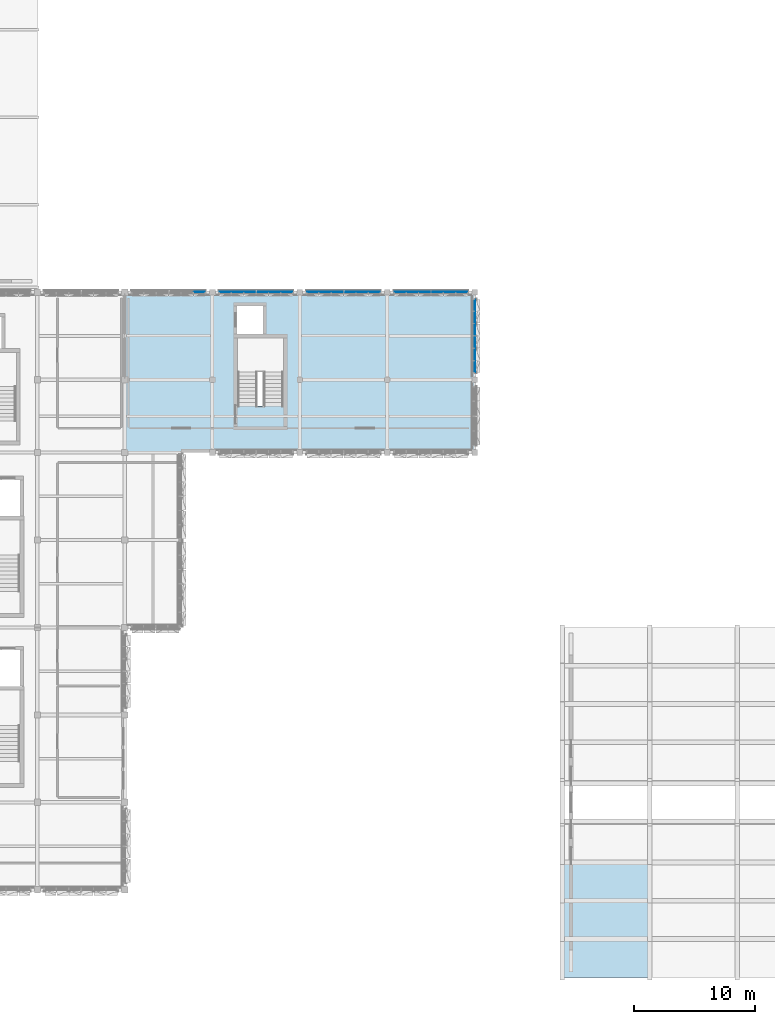
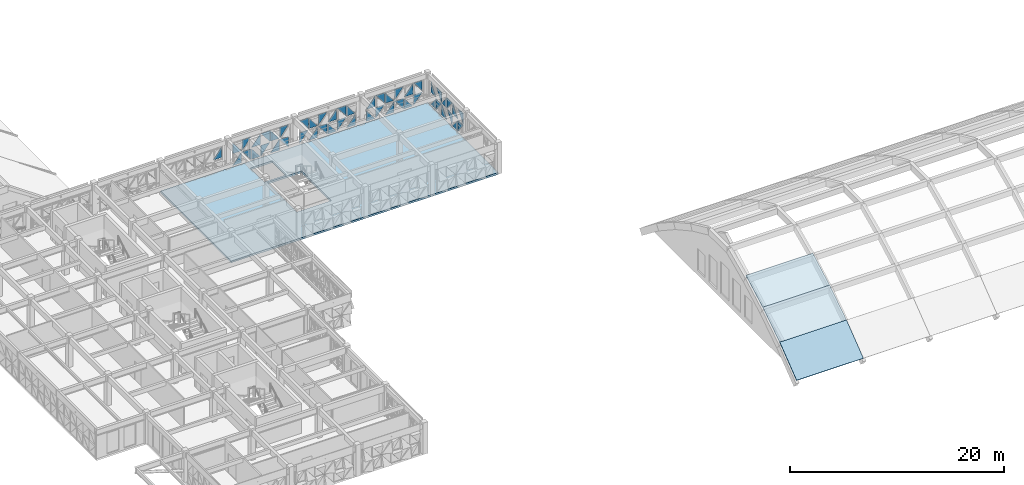
# One storey, part 24 of 48: 49 plates, 4 slabs, 5 elements without a shape of their own.
"""IFC4 building model written with IfcOpenShell, lengths in metres."""

import ifcopenshell
import ifcopenshell.guid

model = None  # the IFC model being written
_history = None  # IfcOwnerHistory: only IFC2X3 demands one
_inside = {}  # id of a spatial element -> (the spatial element, [elements in it])
_under = {}  # id of a project, library or spatial element -> (it, [spatial elements below it])
_declared = {}  # id of a project -> (the project, [libraries it declares])
_typed = {}  # id of a type object -> (the type object, [elements of that type])
_made_of = {}  # id of a material, layer set ... -> (it, [elements and type objects made of it])


def new_model(schema):
    """Start an empty IFC model of exactly this schema.

    Asked for "IFC4X3", IfcOpenShell would pick the latest addendum, in which some entities
    have other attributes; the version numbers below select the first issue.
    IFC2X3 requires an IfcOwnerHistory on every rooted entity: one is made here for all.
    """
    global model, _history
    if schema == "IFC4X3":
        model = ifcopenshell.file(schema_version=(4, 3, 0, 0))
    else:
        model = ifcopenshell.file(schema=schema)
    _inside.clear()
    _under.clear()
    _declared.clear()
    _typed.clear()
    _made_of.clear()
    _history = None
    if model.schema == "IFC2X3":
        org = make("IfcOrganization", Name="unknown")
        user = make(
            "IfcPersonAndOrganization",
            ThePerson=make("IfcPerson", FamilyName="unknown"),
            TheOrganization=org,
        )
        app = make(
            "IfcApplication",
            ApplicationDeveloper=org,
            Version="unknown",
            ApplicationFullName="unknown",
            ApplicationIdentifier="unknown",
        )
        _history = make(
            "IfcOwnerHistory",
            OwningUser=user,
            OwningApplication=app,
            ChangeAction="ADDED",
            CreationDate=0,
        )
    return model


def make(cls, **values):
    """One entity of the class cls with the attributes given. An attribute that is None is left unset."""
    return model.create_entity(
        cls, **{name: value for name, value in values.items() if value is not None}
    )


def rooted(cls, **values):
    """An entity with a GlobalId (a new one), such as an element, a storey or a relation."""
    return make(cls, GlobalId=ifcopenshell.guid.new(), OwnerHistory=_history, **values)


def si_unit(unit_type, name, prefix=None):
    """IfcSIUnit, for example si_unit("LENGTHUNIT", "METRE", prefix="MILLI")."""
    return make("IfcSIUnit", UnitType=unit_type, Prefix=prefix, Name=name)


def assignment(units):
    """IfcUnitAssignment: the units of a project."""
    return None if units is None else make("IfcUnitAssignment", Units=units)


def point(xyz):
    """IfcCartesianPoint."""
    return None if xyz is None else make("IfcCartesianPoint", Coordinates=xyz)


def direction(xyz):
    """IfcDirection."""
    return None if xyz is None else make("IfcDirection", DirectionRatios=xyz)


def frame(location, z_axis=None, x_axis=None):
    """IfcAxis2Placement3D, a coordinate frame: its origin and axes. An axis left out is left unset."""
    return make(
        "IfcAxis2Placement3D",
        Location=point(location),
        Axis=direction(z_axis),
        RefDirection=direction(x_axis),
    )


def origin():
    """The frame at (0, 0, 0) with its axes left unset."""
    return frame((0.0, 0.0, 0.0))


def place(relative_to, where):
    """IfcLocalPlacement: puts the frame where relative to a parent placement (None: the world)."""
    return make(
        "IfcLocalPlacement", PlacementRelTo=relative_to, RelativePlacement=where
    )


def context(
    kind, dimensions, precision=None, world=None, true_north=None, identifier=None
):
    """IfcGeometricRepresentationContext, for example the 3D "Model" context."""
    return make(
        "IfcGeometricRepresentationContext",
        ContextIdentifier=identifier,
        ContextType=kind,
        CoordinateSpaceDimension=dimensions,
        Precision=precision,
        WorldCoordinateSystem=world,
        TrueNorth=true_north,
    )


def subcontext(parent, identifier, kind, view, scale=None):
    """IfcGeometricRepresentationSubContext, for example "Body" below "Model"."""
    return make(
        "IfcGeometricRepresentationSubContext",
        ContextIdentifier=identifier,
        ContextType=kind,
        ParentContext=parent,
        TargetScale=scale,
        TargetView=view,
    )


def project(units=None, contexts=None):
    """IfcProject with its units and contexts."""
    return rooted(
        "IfcProject",
        Name="project",
        RepresentationContexts=contexts,
        UnitsInContext=assignment(units),
    )


def spatial(cls, under=None, at=None, **own):
    """A site, building, storey or space (cls), placed at a placement, below another one or the project."""
    s = rooted(cls, ObjectPlacement=at, **own)
    if under is not None:
        _under.setdefault(under.id(), (under, []))[1].append(s)
    return s


def polyline(points):
    """IfcPolyline through the points."""
    return make("IfcPolyline", Points=[point(p) for p in points])


def outline(outer, holes=None, kind="AREA"):
    """IfcArbitraryClosedProfileDef: a profile drawn as a closed curve; with holes, ...WithVoids."""
    if holes is None:
        return make("IfcArbitraryClosedProfileDef", ProfileType=kind, OuterCurve=outer)
    return make(
        "IfcArbitraryProfileDefWithVoids",
        ProfileType=kind,
        OuterCurve=outer,
        InnerCurves=holes,
    )


def extrude(swept, where, along, depth):
    """IfcExtrudedAreaSolid: the profile swept, set in the frame where, extruded along a direction by depth."""
    return make(
        "IfcExtrudedAreaSolid",
        SweptArea=swept,
        Position=where,
        ExtrudedDirection=direction(along),
        Depth=depth,
    )


def shape(context_of_items, identifier, shape_type, items):
    """IfcShapeRepresentation: the items that make up one representation, for example the "Body"."""
    return make(
        "IfcShapeRepresentation",
        ContextOfItems=context_of_items,
        RepresentationIdentifier=identifier,
        RepresentationType=shape_type,
        Items=items,
    )


def material(Name=None, Category=None):
    """IfcMaterial."""
    return make("IfcMaterial", Name=Name, Category=Category)


def layer(
    of_material, thickness, ventilated=None, Name=None, Category=None, Priority=None
):
    """IfcMaterialLayer: one layer of a wall or slab, of a material (None: an air gap)."""
    return make(
        "IfcMaterialLayer",
        Material=of_material,
        LayerThickness=thickness,
        IsVentilated=ventilated,
        Name=Name,
        Category=Category,
        Priority=Priority,
    )


def layer_set(layers, Name=None):
    """IfcMaterialLayerSet."""
    return make("IfcMaterialLayerSet", MaterialLayers=layers, LayerSetName=Name)


def made_of(thing, what):
    """Note that an element or type object is made of a material, layer set ...; save() writes the relation."""
    if what is not None:
        _made_of.setdefault(what.id(), (what, []))[1].append(thing)
    return thing


def type_object(cls, material=None, **own):
    """A type object (cls), such as IfcWallType, which elements share."""
    return made_of(rooted(cls, **own), material)


def element(
    cls,
    number,
    at=None,
    inside=None,
    cuts=None,
    type_object=None,
    material=None,
    context=None,
    identifier="Body",
    shape_type=None,
    held_by="IfcProductDefinitionShape",
    body=None,
    shapes=None,
    **own,
):
    """One element of the class cls, such as IfcWall. Its Tag is "e" and its number.

    at: its placement. inside: the storey or other place that contains it. cuts: it is an
    opening in that element (IfcRelVoidsElement). A single representation is given by context,
    identifier, shape_type and body (its items); several are given by shapes. held_by: the class
    of the entity that holds the representations. save() writes the other relations.
    """
    e = rooted(cls, Tag="e%d" % number, ObjectPlacement=at, **own)
    if body is not None:
        shapes = [shape(context, identifier, shape_type, body)]
    if shapes is not None:
        e.Representation = make(held_by, Representations=shapes)
    if inside is not None:
        _inside.setdefault(inside.id(), (inside, []))[1].append(e)
    if cuts is not None:
        rooted(
            "IfcRelVoidsElement", RelatingBuildingElement=cuts, RelatedOpeningElement=e
        )
    if type_object is not None:
        _typed.setdefault(type_object.id(), (type_object, []))[1].append(e)
    return made_of(e, material)


def aggregate(whole, parts):
    """IfcRelAggregates: a whole, such as a stair, and the parts it consists of."""
    return rooted("IfcRelAggregates", RelatingObject=whole, RelatedObjects=parts)


def save(model, path):
    """Write the relations noted so far, then the file.

    IfcRelAggregates (storeys below a building ...), IfcRelContainedInSpatialStructure (elements
    in a storey), IfcRelDefinesByType, IfcRelAssociatesMaterial and IfcRelDeclares: one each for
    every whole, place, type object, material and project.
    """
    for whole, parts in _under.values():
        aggregate(whole, parts)
    for where, things in _inside.values():
        rooted(
            "IfcRelContainedInSpatialStructure",
            RelatedElements=things,
            RelatingStructure=where,
        )
    for kind, things in _typed.values():
        rooted("IfcRelDefinesByType", RelatedObjects=things, RelatingType=kind)
    for what, things in _made_of.values():
        rooted("IfcRelAssociatesMaterial", RelatedObjects=things, RelatingMaterial=what)
    for by, libraries in _declared.values():
        rooted("IfcRelDeclares", RelatingContext=by, RelatedDefinitions=libraries)
    model.write(path)


model = new_model("IFC4")

# Units and contexts
model_context = context("Model", 3, precision=1e-05, world=origin(), true_north=direction((0.0, 1.0)))
body_context = subcontext(model_context, "Body", "Model", "MODEL_VIEW")
ifc_project = project(units=[si_unit("LENGTHUNIT", "METRE"), si_unit("AREAUNIT", "SQUARE_METRE"), si_unit("VOLUMEUNIT", "CUBIC_METRE"), si_unit("PLANEANGLEUNIT", "RADIAN"), si_unit("MASSUNIT", "GRAM", prefix="KILO")], contexts=[model_context])

# Site, building, storey
site_placement = place(None, origin())
site = spatial("IfcSite", under=ifc_project, at=site_placement, CompositionType="ELEMENT")
building_placement = place(site_placement, origin())
building = spatial("IfcBuilding", under=site, at=building_placement, Name="Alvorim Cloister Faculty of Sciences", CompositionType="ELEMENT")
storey_placement = place(building_placement, frame((0.0, 0.0, 19.35009765625)))
storey = spatial("IfcBuildingStorey", under=building, at=storey_placement, Name="L05", CompositionType="ELEMENT", Elevation=19.35009765625)

# Curtain wall, plate
ifc_material_1 = material(Name="Aluminium and Low-E Glass Curtain Wall", Category="aluminium")
curtain_wall_type = type_object("IfcCurtainWallType", Name="CW-TRI-6120x2850", PredefinedType="USERDEFINED", material=ifc_material_1)
curtain_wall_1_placement = place(storey_placement, origin())
curtain_wall_1 = element("IfcCurtainWall", 1, at=curtain_wall_1_placement, inside=storey, type_object=curtain_wall_type, Name="L05 Diagonal Cassette Curtain Wall CW-0223", ObjectType="UNITISED CURTAIN WALL", PredefinedType="USERDEFINED")
ifc_material_2 = material(Name="Double Low-E Laminated Glass", Category="glass")
ifc_layer_1 = layer(ifc_material_2, 0.0400390625)
ifc_layer_set_1 = layer_set([ifc_layer_1], Name="Double Low-E Laminated Glass")
plate_type = type_object("IfcPlateType", Name="PN-GLZ-40", PredefinedType="CURTAIN_PANEL", material=ifc_layer_set_1)
plate_1_placement = place(storey_placement, frame((34.472412109375, 56.425048828125, 1.494873046875), z_axis=(0.0, 0.0, 1.0), x_axis=(1.0, 0.0, 0.0)))
plate_1 = element("IfcPlate", 2, at=plate_1_placement, type_object=plate_type, Name="Diagonal Glazed Triangle TRI-BR", PredefinedType="CURTAIN_PANEL", context=body_context, shape_type="SweptSolid", body=[
    extrude(outline(polyline([(0.001953125, 0.0), (0.922607421875, 0.0), (0.922607421875, 1.213134765625), (0.001953125, 0.0)])), frame((0.0, 0.02490234375, 0.0), z_axis=(0.0, -1.0, 0.0), x_axis=(1.0, 0.0, 0.0)), (0.0, 0.0, 1.0), 0.050048828125),
])
aggregate(curtain_wall_1, [plate_1])

# Curtain wall, plates
curtain_wall_2_placement = place(storey_placement, origin())
curtain_wall_2 = element("IfcCurtainWall", 3, at=curtain_wall_2_placement, inside=storey, type_object=curtain_wall_type, Name="L05 Diagonal Cassette Curtain Wall CW-0224", ObjectType="UNITISED CURTAIN WALL", PredefinedType="USERDEFINED")
plate_2_placement = place(storey_placement, frame((36.60498046875, 56.425048828125, 0.139892578125), z_axis=(0.0, 0.0, 1.0), x_axis=(1.0, 0.0, 0.0)))
plate_2 = element("IfcPlate", 4, at=plate_2_placement, type_object=plate_type, Name="Diagonal Glazed Triangle TRI-BR", PredefinedType="CURTAIN_PANEL", context=body_context, shape_type="SweptSolid", body=[
    extrude(outline(polyline([(0.001953125, 0.0), (0.922607421875, 0.0), (0.922607421875, 1.213134765625), (0.001953125, 0.0)])), frame((0.0, 0.02490234375, 0.0), z_axis=(0.0, -1.0, 0.0), x_axis=(1.0, 0.0, 0.0)), (0.0, 0.0, 1.0), 0.050048828125),
])
plate_3_placement = place(storey_placement, frame((36.60498046875, 56.425048828125, 1.494873046875), z_axis=(0.0, 0.0, 1.0), x_axis=(1.0, 0.0, 0.0)))
plate_3 = element("IfcPlate", 5, at=plate_3_placement, type_object=plate_type, Name="Diagonal Glazed Triangle TRI-BL", PredefinedType="CURTAIN_PANEL", context=body_context, shape_type="SweptSolid", body=[
    extrude(outline(polyline([(0.0, 0.0), (0.920654296875, 0.0), (0.0, 1.213134765625), (0.0, 0.0)])), frame((0.0, 0.02490234375, 0.0), z_axis=(0.0, -1.0, 0.0), x_axis=(1.0, 0.0, 0.0)), (0.0, 0.0, 1.0), 0.050048828125),
])
plate_4_placement = place(storey_placement, frame((37.592529296875, 56.425048828125, 0.139892578125), z_axis=(0.0, 0.0, 1.0), x_axis=(1.0, 0.0, 0.0)))
plate_4 = element("IfcPlate", 6, at=plate_4_placement, type_object=plate_type, Name="Diagonal Glazed Triangle TRI-TR", PredefinedType="CURTAIN_PANEL", context=body_context, shape_type="SweptSolid", body=[
    extrude(outline(polyline([(0.955078125, 0.001953125), (0.955078125, 1.215087890625), (0.001953125, 1.215087890625), (0.955078125, 0.001953125)])), frame((0.0, 0.02490234375, 0.0), z_axis=(0.0, -1.0, 0.0), x_axis=(1.0, 0.0, 0.0)), (0.0, 0.0, 1.0), 0.050048828125),
])
plate_5_placement = place(storey_placement, frame((37.592529296875, 56.425048828125, 1.494873046875), z_axis=(0.0, 0.0, 1.0), x_axis=(1.0, 0.0, 0.0)))
plate_5 = element("IfcPlate", 7, at=plate_5_placement, type_object=plate_type, Name="Diagonal Glazed Triangle TRI-TL", PredefinedType="CURTAIN_PANEL", context=body_context, shape_type="SweptSolid", body=[
    extrude(outline(polyline([(0.953125, 1.215087890625), (0.0, 1.215087890625), (0.0, 0.001953125), (0.953125, 1.215087890625)])), frame((0.0, 0.02490234375, 0.0), z_axis=(0.0, -1.0, 0.0), x_axis=(1.0, 0.0, 0.0)), (0.0, 0.0, 1.0), 0.050048828125),
])
plate_6_placement = place(storey_placement, frame((38.612548828125, 56.425048828125, 0.139892578125), z_axis=(0.0, 0.0, 1.0), x_axis=(1.0, 0.0, 0.0)))
plate_6 = element("IfcPlate", 8, at=plate_6_placement, type_object=plate_type, Name="Diagonal Glazed Triangle TRI-BL", PredefinedType="CURTAIN_PANEL", context=body_context, shape_type="SweptSolid", body=[
    extrude(outline(polyline([(0.0, 0.0), (0.953125, 0.0), (0.0, 1.213134765625), (0.0, 0.0)])), frame((0.0, 0.02490234375, 0.0), z_axis=(0.0, -1.0, 0.0), x_axis=(1.0, 0.0, 0.0)), (0.0, 0.0, 1.0), 0.050048828125),
])
plate_7_placement = place(storey_placement, frame((38.612548828125, 56.425048828125, 1.494873046875), z_axis=(0.0, 0.0, 1.0), x_axis=(1.0, 0.0, 0.0)))
plate_7 = element("IfcPlate", 9, at=plate_7_placement, type_object=plate_type, Name="Diagonal Glazed Triangle TRI-BR", PredefinedType="CURTAIN_PANEL", context=body_context, shape_type="SweptSolid", body=[
    extrude(outline(polyline([(0.001953125, 0.0), (0.955078125, 0.0), (0.955078125, 1.213134765625), (0.001953125, 0.0)])), frame((0.0, 0.02490234375, 0.0), z_axis=(0.0, -1.0, 0.0), x_axis=(1.0, 0.0, 0.0)), (0.0, 0.0, 1.0), 0.050048828125),
])
plate_8_placement = place(storey_placement, frame((39.632568359375, 56.425048828125, 0.139892578125), z_axis=(0.0, 0.0, 1.0), x_axis=(1.0, 0.0, 0.0)))
plate_8 = element("IfcPlate", 10, at=plate_8_placement, type_object=plate_type, Name="Diagonal Glazed Triangle TRI-TL", PredefinedType="CURTAIN_PANEL", context=body_context, shape_type="SweptSolid", body=[
    extrude(outline(polyline([(0.953125, 1.215087890625), (0.0, 1.215087890625), (0.0, 0.001953125), (0.953125, 1.215087890625)])), frame((0.0, 0.02490234375, 0.0), z_axis=(0.0, -1.0, 0.0), x_axis=(1.0, 0.0, 0.0)), (0.0, 0.0, 1.0), 0.050048828125),
])
plate_9_placement = place(storey_placement, frame((39.632568359375, 56.425048828125, 1.494873046875), z_axis=(0.0, 0.0, 1.0), x_axis=(1.0, 0.0, 0.0)))
plate_9 = element("IfcPlate", 11, at=plate_9_placement, type_object=plate_type, Name="Diagonal Glazed Triangle TRI-TR", PredefinedType="CURTAIN_PANEL", context=body_context, shape_type="SweptSolid", body=[
    extrude(outline(polyline([(0.955078125, 0.001953125), (0.955078125, 1.215087890625), (0.001953125, 1.215087890625), (0.955078125, 0.001953125)])), frame((0.0, 0.02490234375, 0.0), z_axis=(0.0, -1.0, 0.0), x_axis=(1.0, 0.0, 0.0)), (0.0, 0.0, 1.0), 0.050048828125),
])
plate_10_placement = place(storey_placement, frame((40.652587890625, 56.425048828125, 0.139892578125), z_axis=(0.0, 0.0, 1.0), x_axis=(1.0, 0.0, 0.0)))
plate_10 = element("IfcPlate", 12, at=plate_10_placement, type_object=plate_type, Name="Diagonal Glazed Triangle TRI-BR", PredefinedType="CURTAIN_PANEL", context=body_context, shape_type="SweptSolid", body=[
    extrude(outline(polyline([(0.001953125, 0.0), (0.955078125, 0.0), (0.955078125, 1.213134765625), (0.001953125, 0.0)])), frame((0.0, 0.02490234375, 0.0), z_axis=(0.0, -1.0, 0.0), x_axis=(1.0, 0.0, 0.0)), (0.0, 0.0, 1.0), 0.050048828125),
])
plate_11_placement = place(storey_placement, frame((40.652587890625, 56.425048828125, 1.494873046875), z_axis=(0.0, 0.0, 1.0), x_axis=(1.0, 0.0, 0.0)))
plate_11 = element("IfcPlate", 13, at=plate_11_placement, type_object=plate_type, Name="Diagonal Glazed Triangle TRI-BL", PredefinedType="CURTAIN_PANEL", context=body_context, shape_type="SweptSolid", body=[
    extrude(outline(polyline([(0.0, 0.0), (0.953125, 0.0), (0.0, 1.213134765625), (0.0, 0.0)])), frame((0.0, 0.02490234375, 0.0), z_axis=(0.0, -1.0, 0.0), x_axis=(1.0, 0.0, 0.0)), (0.0, 0.0, 1.0), 0.050048828125),
])
plate_12_placement = place(storey_placement, frame((41.672607421875, 56.425048828125, 0.139892578125), z_axis=(0.0, 0.0, 1.0), x_axis=(1.0, 0.0, 0.0)))
plate_12 = element("IfcPlate", 14, at=plate_12_placement, type_object=plate_type, Name="Diagonal Glazed Triangle TRI-TR", PredefinedType="CURTAIN_PANEL", context=body_context, shape_type="SweptSolid", body=[
    extrude(outline(polyline([(0.922607421875, 0.001953125), (0.922607421875, 1.215087890625), (0.001953125, 1.215087890625), (0.922607421875, 0.001953125)])), frame((0.0, 0.02490234375, 0.0), z_axis=(0.0, -1.0, 0.0), x_axis=(1.0, 0.0, 0.0)), (0.0, 0.0, 1.0), 0.050048828125),
])
plate_13_placement = place(storey_placement, frame((41.672607421875, 56.425048828125, 1.494873046875), z_axis=(0.0, 0.0, 1.0), x_axis=(1.0, 0.0, 0.0)))
plate_13 = element("IfcPlate", 15, at=plate_13_placement, type_object=plate_type, Name="Diagonal Glazed Triangle TRI-TL", PredefinedType="CURTAIN_PANEL", context=body_context, shape_type="SweptSolid", body=[
    extrude(outline(polyline([(0.920654296875, 1.215087890625), (0.0, 1.215087890625), (0.0, 0.001953125), (0.920654296875, 1.215087890625)])), frame((0.0, 0.02490234375, 0.0), z_axis=(0.0, -1.0, 0.0), x_axis=(1.0, 0.0, 0.0)), (0.0, 0.0, 1.0), 0.050048828125),
])
aggregate(curtain_wall_2, [plate_2, plate_3, plate_4, plate_5, plate_6, plate_7, plate_8, plate_9, plate_10, plate_11, plate_12, plate_13])

curtain_wall_3_placement = place(storey_placement, origin())
curtain_wall_3 = element("IfcCurtainWall", 16, at=curtain_wall_3_placement, inside=storey, type_object=curtain_wall_type, Name="L05 Diagonal Cassette Curtain Wall CW-0225", ObjectType="UNITISED CURTAIN WALL", PredefinedType="USERDEFINED")
plate_14_placement = place(storey_placement, frame((43.804931640625, 56.425048828125, 0.139892578125), z_axis=(0.0, 0.0, 1.0), x_axis=(1.0, 0.0, 0.0)))
plate_14 = element("IfcPlate", 17, at=plate_14_placement, type_object=plate_type, Name="Diagonal Glazed Triangle TRI-TL", PredefinedType="CURTAIN_PANEL", context=body_context, shape_type="SweptSolid", body=[
    extrude(outline(polyline([(0.920654296875, 1.215087890625), (0.0, 1.215087890625), (0.0, 0.001953125), (0.920654296875, 1.215087890625)])), frame((0.0, 0.02490234375, 0.0), z_axis=(0.0, -1.0, 0.0), x_axis=(1.0, 0.0, 0.0)), (0.0, 0.0, 1.0), 0.050048828125),
])
plate_15_placement = place(storey_placement, frame((43.804931640625, 56.425048828125, 1.494873046875), z_axis=(0.0, 0.0, 1.0), x_axis=(1.0, 0.0, 0.0)))
plate_15 = element("IfcPlate", 18, at=plate_15_placement, type_object=plate_type, Name="Diagonal Glazed Triangle TRI-TR", PredefinedType="CURTAIN_PANEL", context=body_context, shape_type="SweptSolid", body=[
    extrude(outline(polyline([(0.922607421875, 0.001953125), (0.922607421875, 1.215087890625), (0.001953125, 1.215087890625), (0.922607421875, 0.001953125)])), frame((0.0, 0.02490234375, 0.0), z_axis=(0.0, -1.0, 0.0), x_axis=(1.0, 0.0, 0.0)), (0.0, 0.0, 1.0), 0.050048828125),
])
plate_16_placement = place(storey_placement, frame((44.79248046875, 56.425048828125, 0.139892578125), z_axis=(0.0, 0.0, 1.0), x_axis=(1.0, 0.0, 0.0)))
plate_16 = element("IfcPlate", 19, at=plate_16_placement, type_object=plate_type, Name="Diagonal Glazed Triangle TRI-BR", PredefinedType="CURTAIN_PANEL", context=body_context, shape_type="SweptSolid", body=[
    extrude(outline(polyline([(0.001953125, 0.0), (0.955078125, 0.0), (0.955078125, 1.213134765625), (0.001953125, 0.0)])), frame((0.0, 0.02490234375, 0.0), z_axis=(0.0, -1.0, 0.0), x_axis=(1.0, 0.0, 0.0)), (0.0, 0.0, 1.0), 0.050048828125),
])
plate_17_placement = place(storey_placement, frame((44.79248046875, 56.425048828125, 1.494873046875), z_axis=(0.0, 0.0, 1.0), x_axis=(1.0, 0.0, 0.0)))
plate_17 = element("IfcPlate", 20, at=plate_17_placement, type_object=plate_type, Name="Diagonal Glazed Triangle TRI-BL", PredefinedType="CURTAIN_PANEL", context=body_context, shape_type="SweptSolid", body=[
    extrude(outline(polyline([(0.0, 0.0), (0.953125, 0.0), (0.0, 1.213134765625), (0.0, 0.0)])), frame((0.0, 0.02490234375, 0.0), z_axis=(0.0, -1.0, 0.0), x_axis=(1.0, 0.0, 0.0)), (0.0, 0.0, 1.0), 0.050048828125),
])
plate_18_placement = place(storey_placement, frame((45.8125, 56.425048828125, 0.139892578125), z_axis=(0.0, 0.0, 1.0), x_axis=(1.0, 0.0, 0.0)))
plate_18 = element("IfcPlate", 21, at=plate_18_placement, type_object=plate_type, Name="Diagonal Glazed Triangle TRI-TR", PredefinedType="CURTAIN_PANEL", context=body_context, shape_type="SweptSolid", body=[
    extrude(outline(polyline([(0.955078125, 0.001953125), (0.955078125, 1.215087890625), (0.001953125, 1.215087890625), (0.955078125, 0.001953125)])), frame((0.0, 0.02490234375, 0.0), z_axis=(0.0, -1.0, 0.0), x_axis=(1.0, 0.0, 0.0)), (0.0, 0.0, 1.0), 0.050048828125),
])
plate_19_placement = place(storey_placement, frame((45.8125, 56.425048828125, 1.494873046875), z_axis=(0.0, 0.0, 1.0), x_axis=(1.0, 0.0, 0.0)))
plate_19 = element("IfcPlate", 22, at=plate_19_placement, type_object=plate_type, Name="Diagonal Glazed Triangle TRI-TL", PredefinedType="CURTAIN_PANEL", context=body_context, shape_type="SweptSolid", body=[
    extrude(outline(polyline([(0.953125, 1.215087890625), (0.0, 1.215087890625), (0.0, 0.001953125), (0.953125, 1.215087890625)])), frame((0.0, 0.02490234375, 0.0), z_axis=(0.0, -1.0, 0.0), x_axis=(1.0, 0.0, 0.0)), (0.0, 0.0, 1.0), 0.050048828125),
])
plate_20_placement = place(storey_placement, frame((46.83251953125, 56.425048828125, 0.139892578125), z_axis=(0.0, 0.0, 1.0), x_axis=(1.0, 0.0, 0.0)))
plate_20 = element("IfcPlate", 23, at=plate_20_placement, type_object=plate_type, Name="Diagonal Glazed Triangle TRI-BL", PredefinedType="CURTAIN_PANEL", context=body_context, shape_type="SweptSolid", body=[
    extrude(outline(polyline([(0.0, 0.0), (0.953125, 0.0), (0.0, 1.213134765625), (0.0, 0.0)])), frame((0.0, 0.02490234375, 0.0), z_axis=(0.0, -1.0, 0.0), x_axis=(1.0, 0.0, 0.0)), (0.0, 0.0, 1.0), 0.050048828125),
])
plate_21_placement = place(storey_placement, frame((46.83251953125, 56.425048828125, 1.494873046875), z_axis=(0.0, 0.0, 1.0), x_axis=(1.0, 0.0, 0.0)))
plate_21 = element("IfcPlate", 24, at=plate_21_placement, type_object=plate_type, Name="Diagonal Glazed Triangle TRI-BR", PredefinedType="CURTAIN_PANEL", context=body_context, shape_type="SweptSolid", body=[
    extrude(outline(polyline([(0.001953125, 0.0), (0.955078125, 0.0), (0.955078125, 1.213134765625), (0.001953125, 0.0)])), frame((0.0, 0.02490234375, 0.0), z_axis=(0.0, -1.0, 0.0), x_axis=(1.0, 0.0, 0.0)), (0.0, 0.0, 1.0), 0.050048828125),
])
plate_22_placement = place(storey_placement, frame((47.8525390625, 56.425048828125, 0.139892578125), z_axis=(0.0, 0.0, 1.0), x_axis=(1.0, 0.0, 0.0)))
plate_22 = element("IfcPlate", 25, at=plate_22_placement, type_object=plate_type, Name="Diagonal Glazed Triangle TRI-TL", PredefinedType="CURTAIN_PANEL", context=body_context, shape_type="SweptSolid", body=[
    extrude(outline(polyline([(0.953125, 1.215087890625), (0.0, 1.215087890625), (0.0, 0.001953125), (0.953125, 1.215087890625)])), frame((0.0, 0.02490234375, 0.0), z_axis=(0.0, -1.0, 0.0), x_axis=(1.0, 0.0, 0.0)), (0.0, 0.0, 1.0), 0.050048828125),
])
plate_23_placement = place(storey_placement, frame((47.8525390625, 56.425048828125, 1.494873046875), z_axis=(0.0, 0.0, 1.0), x_axis=(1.0, 0.0, 0.0)))
plate_23 = element("IfcPlate", 26, at=plate_23_placement, type_object=plate_type, Name="Diagonal Glazed Triangle TRI-TR", PredefinedType="CURTAIN_PANEL", context=body_context, shape_type="SweptSolid", body=[
    extrude(outline(polyline([(0.955078125, 0.001953125), (0.955078125, 1.215087890625), (0.001953125, 1.215087890625), (0.955078125, 0.001953125)])), frame((0.0, 0.02490234375, 0.0), z_axis=(0.0, -1.0, 0.0), x_axis=(1.0, 0.0, 0.0)), (0.0, 0.0, 1.0), 0.050048828125),
])
plate_24_placement = place(storey_placement, frame((48.87255859375, 56.425048828125, 0.139892578125), z_axis=(0.0, 0.0, 1.0), x_axis=(1.0, 0.0, 0.0)))
plate_24 = element("IfcPlate", 27, at=plate_24_placement, type_object=plate_type, Name="Diagonal Glazed Triangle TRI-BR", PredefinedType="CURTAIN_PANEL", context=body_context, shape_type="SweptSolid", body=[
    extrude(outline(polyline([(0.001953125, 0.0), (0.922607421875, 0.0), (0.922607421875, 1.213134765625), (0.001953125, 0.0)])), frame((0.0, 0.02490234375, 0.0), z_axis=(0.0, -1.0, 0.0), x_axis=(1.0, 0.0, 0.0)), (0.0, 0.0, 1.0), 0.050048828125),
])
plate_25_placement = place(storey_placement, frame((48.87255859375, 56.425048828125, 1.494873046875), z_axis=(0.0, 0.0, 1.0), x_axis=(1.0, 0.0, 0.0)))
plate_25 = element("IfcPlate", 28, at=plate_25_placement, type_object=plate_type, Name="Diagonal Glazed Triangle TRI-BL", PredefinedType="CURTAIN_PANEL", context=body_context, shape_type="SweptSolid", body=[
    extrude(outline(polyline([(0.0, 0.0), (0.920654296875, 0.0), (0.0, 1.213134765625), (0.0, 0.0)])), frame((0.0, 0.02490234375, 0.0), z_axis=(0.0, -1.0, 0.0), x_axis=(1.0, 0.0, 0.0)), (0.0, 0.0, 1.0), 0.050048828125),
])
aggregate(curtain_wall_3, [plate_14, plate_15, plate_16, plate_17, plate_18, plate_19, plate_20, plate_21, plate_22, plate_23, plate_24, plate_25])

curtain_wall_4_placement = place(storey_placement, origin())
curtain_wall_4 = element("IfcCurtainWall", 29, at=curtain_wall_4_placement, inside=storey, type_object=curtain_wall_type, Name="L05 Diagonal Cassette Curtain Wall CW-0226", ObjectType="UNITISED CURTAIN WALL", PredefinedType="USERDEFINED")
plate_26_placement = place(storey_placement, frame((51.0048828125, 56.425048828125, 0.139892578125), z_axis=(0.0, 0.0, 1.0), x_axis=(1.0, 0.0, 0.0)))
plate_26 = element("IfcPlate", 30, at=plate_26_placement, type_object=plate_type, Name="Diagonal Glazed Triangle TRI-BL", PredefinedType="CURTAIN_PANEL", context=body_context, shape_type="SweptSolid", body=[
    extrude(outline(polyline([(0.0, 0.0), (0.920654296875, 0.0), (0.0, 1.213134765625), (0.0, 0.0)])), frame((0.0, 0.02490234375, 0.0), z_axis=(0.0, -1.0, 0.0), x_axis=(1.0, 0.0, 0.0)), (0.0, 0.0, 1.0), 0.050048828125),
])
plate_27_placement = place(storey_placement, frame((51.0048828125, 56.425048828125, 1.494873046875), z_axis=(0.0, 0.0, 1.0), x_axis=(1.0, 0.0, 0.0)))
plate_27 = element("IfcPlate", 31, at=plate_27_placement, type_object=plate_type, Name="Diagonal Glazed Triangle TRI-BR", PredefinedType="CURTAIN_PANEL", context=body_context, shape_type="SweptSolid", body=[
    extrude(outline(polyline([(0.001953125, 0.0), (0.922607421875, 0.0), (0.922607421875, 1.213134765625), (0.001953125, 0.0)])), frame((0.0, 0.02490234375, 0.0), z_axis=(0.0, -1.0, 0.0), x_axis=(1.0, 0.0, 0.0)), (0.0, 0.0, 1.0), 0.050048828125),
])
plate_28_placement = place(storey_placement, frame((51.992431640625, 56.425048828125, 0.139892578125), z_axis=(0.0, 0.0, 1.0), x_axis=(1.0, 0.0, 0.0)))
plate_28 = element("IfcPlate", 32, at=plate_28_placement, type_object=plate_type, Name="Diagonal Glazed Triangle TRI-TL", PredefinedType="CURTAIN_PANEL", context=body_context, shape_type="SweptSolid", body=[
    extrude(outline(polyline([(0.953125, 1.215087890625), (0.0, 1.215087890625), (0.0, 0.001953125), (0.953125, 1.215087890625)])), frame((0.0, 0.02490234375, 0.0), z_axis=(0.0, -1.0, 0.0), x_axis=(1.0, 0.0, 0.0)), (0.0, 0.0, 1.0), 0.050048828125),
])
plate_29_placement = place(storey_placement, frame((51.992431640625, 56.425048828125, 1.494873046875), z_axis=(0.0, 0.0, 1.0), x_axis=(1.0, 0.0, 0.0)))
plate_29 = element("IfcPlate", 33, at=plate_29_placement, type_object=plate_type, Name="Diagonal Glazed Triangle TRI-TR", PredefinedType="CURTAIN_PANEL", context=body_context, shape_type="SweptSolid", body=[
    extrude(outline(polyline([(0.955078125, 0.001953125), (0.955078125, 1.215087890625), (0.001953125, 1.215087890625), (0.955078125, 0.001953125)])), frame((0.0, 0.02490234375, 0.0), z_axis=(0.0, -1.0, 0.0), x_axis=(1.0, 0.0, 0.0)), (0.0, 0.0, 1.0), 0.050048828125),
])
plate_30_placement = place(storey_placement, frame((53.012451171875, 56.425048828125, 0.139892578125), z_axis=(0.0, 0.0, 1.0), x_axis=(1.0, 0.0, 0.0)))
plate_30 = element("IfcPlate", 34, at=plate_30_placement, type_object=plate_type, Name="Diagonal Glazed Triangle TRI-BR", PredefinedType="CURTAIN_PANEL", context=body_context, shape_type="SweptSolid", body=[
    extrude(outline(polyline([(0.001953125, 0.0), (0.955078125, 0.0), (0.955078125, 1.213134765625), (0.001953125, 0.0)])), frame((0.0, 0.02490234375, 0.0), z_axis=(0.0, -1.0, 0.0), x_axis=(1.0, 0.0, 0.0)), (0.0, 0.0, 1.0), 0.050048828125),
])
plate_31_placement = place(storey_placement, frame((53.012451171875, 56.425048828125, 1.494873046875), z_axis=(0.0, 0.0, 1.0), x_axis=(1.0, 0.0, 0.0)))
plate_31 = element("IfcPlate", 35, at=plate_31_placement, type_object=plate_type, Name="Diagonal Glazed Triangle TRI-BL", PredefinedType="CURTAIN_PANEL", context=body_context, shape_type="SweptSolid", body=[
    extrude(outline(polyline([(0.0, 0.0), (0.953125, 0.0), (0.0, 1.213134765625), (0.0, 0.0)])), frame((0.0, 0.02490234375, 0.0), z_axis=(0.0, -1.0, 0.0), x_axis=(1.0, 0.0, 0.0)), (0.0, 0.0, 1.0), 0.050048828125),
])
plate_32_placement = place(storey_placement, frame((54.032470703125, 56.425048828125, 0.139892578125), z_axis=(0.0, 0.0, 1.0), x_axis=(1.0, 0.0, 0.0)))
plate_32 = element("IfcPlate", 36, at=plate_32_placement, type_object=plate_type, Name="Diagonal Glazed Triangle TRI-TR", PredefinedType="CURTAIN_PANEL", context=body_context, shape_type="SweptSolid", body=[
    extrude(outline(polyline([(0.955078125, 0.001953125), (0.955078125, 1.215087890625), (0.001953125, 1.215087890625), (0.955078125, 0.001953125)])), frame((0.0, 0.02490234375, 0.0), z_axis=(0.0, -1.0, 0.0), x_axis=(1.0, 0.0, 0.0)), (0.0, 0.0, 1.0), 0.050048828125),
])
plate_33_placement = place(storey_placement, frame((54.032470703125, 56.425048828125, 1.494873046875), z_axis=(0.0, 0.0, 1.0), x_axis=(1.0, 0.0, 0.0)))
plate_33 = element("IfcPlate", 37, at=plate_33_placement, type_object=plate_type, Name="Diagonal Glazed Triangle TRI-TL", PredefinedType="CURTAIN_PANEL", context=body_context, shape_type="SweptSolid", body=[
    extrude(outline(polyline([(0.953125, 1.215087890625), (0.0, 1.215087890625), (0.0, 0.001953125), (0.953125, 1.215087890625)])), frame((0.0, 0.02490234375, 0.0), z_axis=(0.0, -1.0, 0.0), x_axis=(1.0, 0.0, 0.0)), (0.0, 0.0, 1.0), 0.050048828125),
])
plate_34_placement = place(storey_placement, frame((55.052490234375, 56.425048828125, 0.139892578125), z_axis=(0.0, 0.0, 1.0), x_axis=(1.0, 0.0, 0.0)))
plate_34 = element("IfcPlate", 38, at=plate_34_placement, type_object=plate_type, Name="Diagonal Glazed Triangle TRI-BL", PredefinedType="CURTAIN_PANEL", context=body_context, shape_type="SweptSolid", body=[
    extrude(outline(polyline([(0.0, 0.0), (0.953125, 0.0), (0.0, 1.213134765625), (0.0, 0.0)])), frame((0.0, 0.02490234375, 0.0), z_axis=(0.0, -1.0, 0.0), x_axis=(1.0, 0.0, 0.0)), (0.0, 0.0, 1.0), 0.050048828125),
])
plate_35_placement = place(storey_placement, frame((55.052490234375, 56.425048828125, 1.494873046875), z_axis=(0.0, 0.0, 1.0), x_axis=(1.0, 0.0, 0.0)))
plate_35 = element("IfcPlate", 39, at=plate_35_placement, type_object=plate_type, Name="Diagonal Glazed Triangle TRI-BR", PredefinedType="CURTAIN_PANEL", context=body_context, shape_type="SweptSolid", body=[
    extrude(outline(polyline([(0.001953125, 0.0), (0.955078125, 0.0), (0.955078125, 1.213134765625), (0.001953125, 0.0)])), frame((0.0, 0.02490234375, 0.0), z_axis=(0.0, -1.0, 0.0), x_axis=(1.0, 0.0, 0.0)), (0.0, 0.0, 1.0), 0.050048828125),
])
plate_36_placement = place(storey_placement, frame((56.072509765625, 56.425048828125, 0.139892578125), z_axis=(0.0, 0.0, 1.0), x_axis=(1.0, 0.0, 0.0)))
plate_36 = element("IfcPlate", 40, at=plate_36_placement, type_object=plate_type, Name="Diagonal Glazed Triangle TRI-TL", PredefinedType="CURTAIN_PANEL", context=body_context, shape_type="SweptSolid", body=[
    extrude(outline(polyline([(0.920654296875, 1.215087890625), (0.0, 1.215087890625), (0.0, 0.001953125), (0.920654296875, 1.215087890625)])), frame((0.0, 0.02490234375, 0.0), z_axis=(0.0, -1.0, 0.0), x_axis=(1.0, 0.0, 0.0)), (0.0, 0.0, 1.0), 0.050048828125),
])
plate_37_placement = place(storey_placement, frame((56.072509765625, 56.425048828125, 1.494873046875), z_axis=(0.0, 0.0, 1.0), x_axis=(1.0, 0.0, 0.0)))
plate_37 = element("IfcPlate", 41, at=plate_37_placement, type_object=plate_type, Name="Diagonal Glazed Triangle TRI-TR", PredefinedType="CURTAIN_PANEL", context=body_context, shape_type="SweptSolid", body=[
    extrude(outline(polyline([(0.922607421875, 0.001953125), (0.922607421875, 1.215087890625), (0.001953125, 1.215087890625), (0.922607421875, 0.001953125)])), frame((0.0, 0.02490234375, 0.0), z_axis=(0.0, -1.0, 0.0), x_axis=(1.0, 0.0, 0.0)), (0.0, 0.0, 1.0), 0.050048828125),
])
aggregate(curtain_wall_4, [plate_26, plate_27, plate_28, plate_29, plate_30, plate_31, plate_32, plate_33, plate_34, plate_35, plate_36, plate_37])

curtain_wall_5_placement = place(storey_placement, origin())
curtain_wall_5 = element("IfcCurtainWall", 42, at=curtain_wall_5_placement, inside=storey, type_object=curtain_wall_type, Name="L05 Diagonal Cassette Curtain Wall CW-0227", ObjectType="UNITISED CURTAIN WALL", PredefinedType="USERDEFINED")
plate_38_placement = place(storey_placement, frame((57.625, 49.804931640625, 0.139892578125), z_axis=(0.0, 0.0, 1.0), x_axis=(0.0, 1.0, 0.0)))
plate_38 = element("IfcPlate", 43, at=plate_38_placement, type_object=plate_type, Name="Diagonal Glazed Triangle TRI-TR", PredefinedType="CURTAIN_PANEL", context=body_context, shape_type="SweptSolid", body=[
    extrude(outline(polyline([(0.922607421875, 0.001953125), (0.922607421875, 1.215087890625), (0.001953125, 1.215087890625), (0.922607421875, 0.001953125)])), frame((0.0, 0.02490234375, 0.0), z_axis=(0.0, -1.0, 0.0), x_axis=(1.0, 0.0, 0.0)), (0.0, 0.0, 1.0), 0.050048828125),
])
plate_39_placement = place(storey_placement, frame((57.625, 49.804931640625, 1.494873046875), z_axis=(0.0, 0.0, 1.0), x_axis=(0.0, 1.0, 0.0)))
plate_39 = element("IfcPlate", 44, at=plate_39_placement, type_object=plate_type, Name="Diagonal Glazed Triangle TRI-TL", PredefinedType="CURTAIN_PANEL", context=body_context, shape_type="SweptSolid", body=[
    extrude(outline(polyline([(0.920654296875, 1.215087890625), (0.0, 1.215087890625), (0.0, 0.001953125), (0.920654296875, 1.215087890625)])), frame((0.0, 0.02490234375, 0.0), z_axis=(0.0, -1.0, 0.0), x_axis=(1.0, 0.0, 0.0)), (0.0, 0.0, 1.0), 0.050048828125),
])
plate_40_placement = place(storey_placement, frame((57.625, 50.79248046875, 0.139892578125), z_axis=(0.0, 0.0, 1.0), x_axis=(0.0, 1.0, 0.0)))
plate_40 = element("IfcPlate", 45, at=plate_40_placement, type_object=plate_type, Name="Diagonal Glazed Triangle TRI-BL", PredefinedType="CURTAIN_PANEL", context=body_context, shape_type="SweptSolid", body=[
    extrude(outline(polyline([(0.0, 0.0), (0.953125, 0.0), (0.0, 1.213134765625), (0.0, 0.0)])), frame((0.0, 0.02490234375, 0.0), z_axis=(0.0, -1.0, 0.0), x_axis=(1.0, 0.0, 0.0)), (0.0, 0.0, 1.0), 0.050048828125),
])
plate_41_placement = place(storey_placement, frame((57.625, 50.79248046875, 1.494873046875), z_axis=(0.0, 0.0, 1.0), x_axis=(0.0, 1.0, 0.0)))
plate_41 = element("IfcPlate", 46, at=plate_41_placement, type_object=plate_type, Name="Diagonal Glazed Triangle TRI-BR", PredefinedType="CURTAIN_PANEL", context=body_context, shape_type="SweptSolid", body=[
    extrude(outline(polyline([(0.001953125, 0.0), (0.955078125, 0.0), (0.955078125, 1.213134765625), (0.001953125, 0.0)])), frame((0.0, 0.02490234375, 0.0), z_axis=(0.0, -1.0, 0.0), x_axis=(1.0, 0.0, 0.0)), (0.0, 0.0, 1.0), 0.050048828125),
])
plate_42_placement = place(storey_placement, frame((57.625, 51.8125, 0.139892578125), z_axis=(0.0, 0.0, 1.0), x_axis=(0.0, 1.0, 0.0)))
plate_42 = element("IfcPlate", 47, at=plate_42_placement, type_object=plate_type, Name="Diagonal Glazed Triangle TRI-TL", PredefinedType="CURTAIN_PANEL", context=body_context, shape_type="SweptSolid", body=[
    extrude(outline(polyline([(0.953125, 1.215087890625), (0.0, 1.215087890625), (0.0, 0.001953125), (0.953125, 1.215087890625)])), frame((0.0, 0.02490234375, 0.0), z_axis=(0.0, -1.0, 0.0), x_axis=(1.0, 0.0, 0.0)), (0.0, 0.0, 1.0), 0.050048828125),
])
plate_43_placement = place(storey_placement, frame((57.625, 51.8125, 1.494873046875), z_axis=(0.0, 0.0, 1.0), x_axis=(0.0, 1.0, 0.0)))
plate_43 = element("IfcPlate", 48, at=plate_43_placement, type_object=plate_type, Name="Diagonal Glazed Triangle TRI-TR", PredefinedType="CURTAIN_PANEL", context=body_context, shape_type="SweptSolid", body=[
    extrude(outline(polyline([(0.955078125, 0.001953125), (0.955078125, 1.215087890625), (0.001953125, 1.215087890625), (0.955078125, 0.001953125)])), frame((0.0, 0.02490234375, 0.0), z_axis=(0.0, -1.0, 0.0), x_axis=(1.0, 0.0, 0.0)), (0.0, 0.0, 1.0), 0.050048828125),
])
plate_44_placement = place(storey_placement, frame((57.625, 52.83251953125, 0.139892578125), z_axis=(0.0, 0.0, 1.0), x_axis=(0.0, 1.0, 0.0)))
plate_44 = element("IfcPlate", 49, at=plate_44_placement, type_object=plate_type, Name="Diagonal Glazed Triangle TRI-BR", PredefinedType="CURTAIN_PANEL", context=body_context, shape_type="SweptSolid", body=[
    extrude(outline(polyline([(0.001953125, 0.0), (0.955078125, 0.0), (0.955078125, 1.213134765625), (0.001953125, 0.0)])), frame((0.0, 0.02490234375, 0.0), z_axis=(0.0, -1.0, 0.0), x_axis=(1.0, 0.0, 0.0)), (0.0, 0.0, 1.0), 0.050048828125),
])
plate_45_placement = place(storey_placement, frame((57.625, 52.83251953125, 1.494873046875), z_axis=(0.0, 0.0, 1.0), x_axis=(0.0, 1.0, 0.0)))
plate_45 = element("IfcPlate", 50, at=plate_45_placement, type_object=plate_type, Name="Diagonal Glazed Triangle TRI-BL", PredefinedType="CURTAIN_PANEL", context=body_context, shape_type="SweptSolid", body=[
    extrude(outline(polyline([(0.0, 0.0), (0.953125, 0.0), (0.0, 1.213134765625), (0.0, 0.0)])), frame((0.0, 0.02490234375, 0.0), z_axis=(0.0, -1.0, 0.0), x_axis=(1.0, 0.0, 0.0)), (0.0, 0.0, 1.0), 0.050048828125),
])
plate_46_placement = place(storey_placement, frame((57.625, 53.8525390625, 0.139892578125), z_axis=(0.0, 0.0, 1.0), x_axis=(0.0, 1.0, 0.0)))
plate_46 = element("IfcPlate", 51, at=plate_46_placement, type_object=plate_type, Name="Diagonal Glazed Triangle TRI-TR", PredefinedType="CURTAIN_PANEL", context=body_context, shape_type="SweptSolid", body=[
    extrude(outline(polyline([(0.955078125, 0.001953125), (0.955078125, 1.215087890625), (0.001953125, 1.215087890625), (0.955078125, 0.001953125)])), frame((0.0, 0.02490234375, 0.0), z_axis=(0.0, -1.0, 0.0), x_axis=(1.0, 0.0, 0.0)), (0.0, 0.0, 1.0), 0.050048828125),
])
plate_47_placement = place(storey_placement, frame((57.625, 53.8525390625, 1.494873046875), z_axis=(0.0, 0.0, 1.0), x_axis=(0.0, 1.0, 0.0)))
plate_47 = element("IfcPlate", 52, at=plate_47_placement, type_object=plate_type, Name="Diagonal Glazed Triangle TRI-TL", PredefinedType="CURTAIN_PANEL", context=body_context, shape_type="SweptSolid", body=[
    extrude(outline(polyline([(0.953125, 1.215087890625), (0.0, 1.215087890625), (0.0, 0.001953125), (0.953125, 1.215087890625)])), frame((0.0, 0.02490234375, 0.0), z_axis=(0.0, -1.0, 0.0), x_axis=(1.0, 0.0, 0.0)), (0.0, 0.0, 1.0), 0.050048828125),
])
plate_48_placement = place(storey_placement, frame((57.625, 54.87255859375, 0.139892578125), z_axis=(0.0, 0.0, 1.0), x_axis=(0.0, 1.0, 0.0)))
plate_48 = element("IfcPlate", 53, at=plate_48_placement, type_object=plate_type, Name="Diagonal Glazed Triangle TRI-BL", PredefinedType="CURTAIN_PANEL", context=body_context, shape_type="SweptSolid", body=[
    extrude(outline(polyline([(0.0, 0.0), (0.920654296875, 0.0), (0.0, 1.213134765625), (0.0, 0.0)])), frame((0.0, 0.02490234375, 0.0), z_axis=(0.0, -1.0, 0.0), x_axis=(1.0, 0.0, 0.0)), (0.0, 0.0, 1.0), 0.050048828125),
])
plate_49_placement = place(storey_placement, frame((57.625, 54.87255859375, 1.494873046875), z_axis=(0.0, 0.0, 1.0), x_axis=(0.0, 1.0, 0.0)))
plate_49 = element("IfcPlate", 54, at=plate_49_placement, type_object=plate_type, Name="Diagonal Glazed Triangle TRI-BR", PredefinedType="CURTAIN_PANEL", context=body_context, shape_type="SweptSolid", body=[
    extrude(outline(polyline([(0.001953125, 0.0), (0.922607421875, 0.0), (0.922607421875, 1.213134765625), (0.001953125, 0.0)])), frame((0.0, 0.02490234375, 0.0), z_axis=(0.0, -1.0, 0.0), x_axis=(1.0, 0.0, 0.0)), (0.0, 0.0, 1.0), 0.050048828125),
])
aggregate(curtain_wall_5, [plate_38, plate_39, plate_40, plate_41, plate_42, plate_43, plate_44, plate_45, plate_46, plate_47, plate_48, plate_49])

# Slabs
ifc_material_3 = material(Name="Cross-Laminated Timber CLT C24", Category="wood")
ifc_layer_2 = layer(ifc_material_3, 0.2099609375)
ifc_layer_set_2 = layer_set([ifc_layer_2], Name="Cross-Laminated Timber CLT C24")
slab_type_1 = type_object("IfcSlabType", Name="SL-CLT-210", PredefinedType="FLOOR", material=ifc_layer_set_2)
slab_1_placement = place(storey_placement, frame((0.0, 0.0, -0.210205078125)))
element("IfcSlab", 55, at=slab_1_placement, inside=storey, type_object=slab_type_1, Name="L05 V4 Structural Slab 33", PredefinedType="FLOOR", context=body_context, shape_type="SweptSolid", body=[
    extrude(outline(polyline([(28.804931640625, 43.205078125), (28.804931640625, 56.39501953125), (57.594970703125, 56.39501953125), (57.594970703125, 43.205078125), (28.804931640625, 43.205078125)]), holes=[polyline([(38.10009765625, 52.60009765625), (38.10009765625, 47.030029296875), (41.820068359375, 47.030029296875), (41.820068359375, 52.60009765625), (38.10009765625, 52.60009765625)]), polyline([(40.300048828125, 55.39990234375), (37.89990234375, 55.39990234375), (37.89990234375, 52.800048828125), (40.300048828125, 52.800048828125), (40.300048828125, 55.39990234375)])]), origin(), (0.0, 0.0, 1.0), 0.210205078125),
])
ifc_material_4 = material(Name="Concrete C40", Category="concrete")
ifc_layer_3 = layer(ifc_material_4, 0.1201171875)
ifc_layer_set_3 = layer_set([ifc_layer_3], Name="Concrete C40")
slab_type_2 = type_object("IfcSlabType", Name="SL-SHELL-120", PredefinedType="ROOF", material=ifc_layer_set_3)
slab_2_placement = place(storey_placement, frame((64.800048828125, 0.0, 0.0), z_axis=(0.0, -0.613944849069, 0.789348923038), x_axis=(1.0, 0.0, 0.0)))
element("IfcSlab", 56, at=slab_2_placement, inside=storey, type_object=slab_type_2, Name="SH-V3 Pointed Concrete Shell Chord 1.S1", PredefinedType="ROOF", context=body_context, shape_type="SweptSolid", body=[
    extrude(outline(polyline([(0.0, 0.0), (7.199951171875, 0.0), (7.199951171875, 3.990506925157934), (0.0, 3.990506925157934), (0.0, 0.0)])), origin(), (0.0, 0.0, -1.0), 0.1201171875),
])
slab_3_placement = place(storey_placement, frame((64.800048828125, 3.14990234375, 2.449951171875), z_axis=(0.0, -0.548176378921, 0.836362754786), x_axis=(1.0, 0.0, 0.0)))
element("IfcSlab", 57, at=slab_3_placement, inside=storey, type_object=slab_type_2, Name="SH-V3 Pointed Concrete Shell Chord 1.S2", PredefinedType="ROOF", context=body_context, shape_type="SweptSolid", body=[
    extrude(outline(polyline([(0.0, 0.0), (7.199951171875, 0.0), (7.199951171875, 3.766483462289397), (0.0, 3.766483462289397), (0.0, 0.0)])), origin(), (0.0, 0.0, -1.0), 0.1201171875),
])
slab_4_placement = place(storey_placement, frame((64.800048828125, 6.300048828125, 4.5146484375), z_axis=(0.0, -0.48248677866, 0.875903252887), x_axis=(1.0, 0.0, 0.0)))
element("IfcSlab", 58, at=slab_4_placement, inside=storey, type_object=slab_type_2, Name="SH-V3 Pointed Concrete Shell Chord 1.S3", PredefinedType="ROOF", context=body_context, shape_type="SweptSolid", body=[
    extrude(outline(polyline([(0.0, 0.0), (7.199951171875, 0.0), (7.199951171875, 3.5961760997770185), (0.0, 3.5961760997770185), (0.0, 0.0)])), origin(), (0.0, 0.0, -1.0), 0.1201171875),
])

save(model, "model.ifc")
